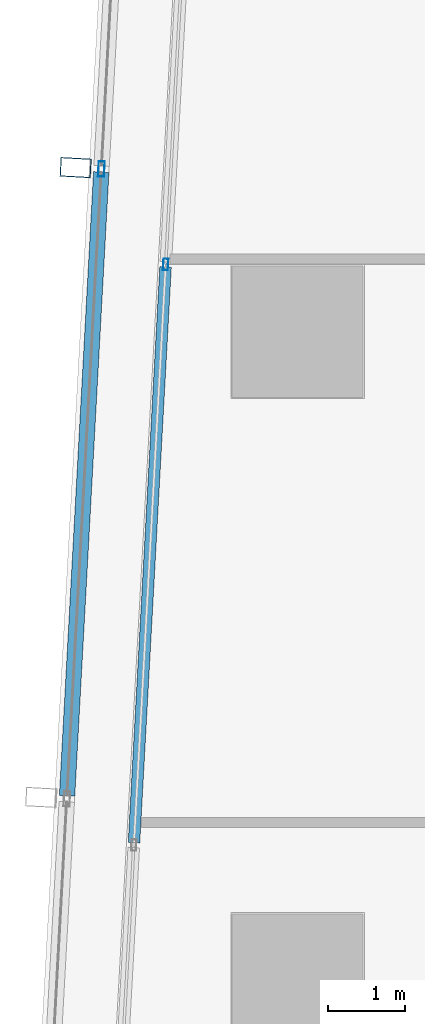
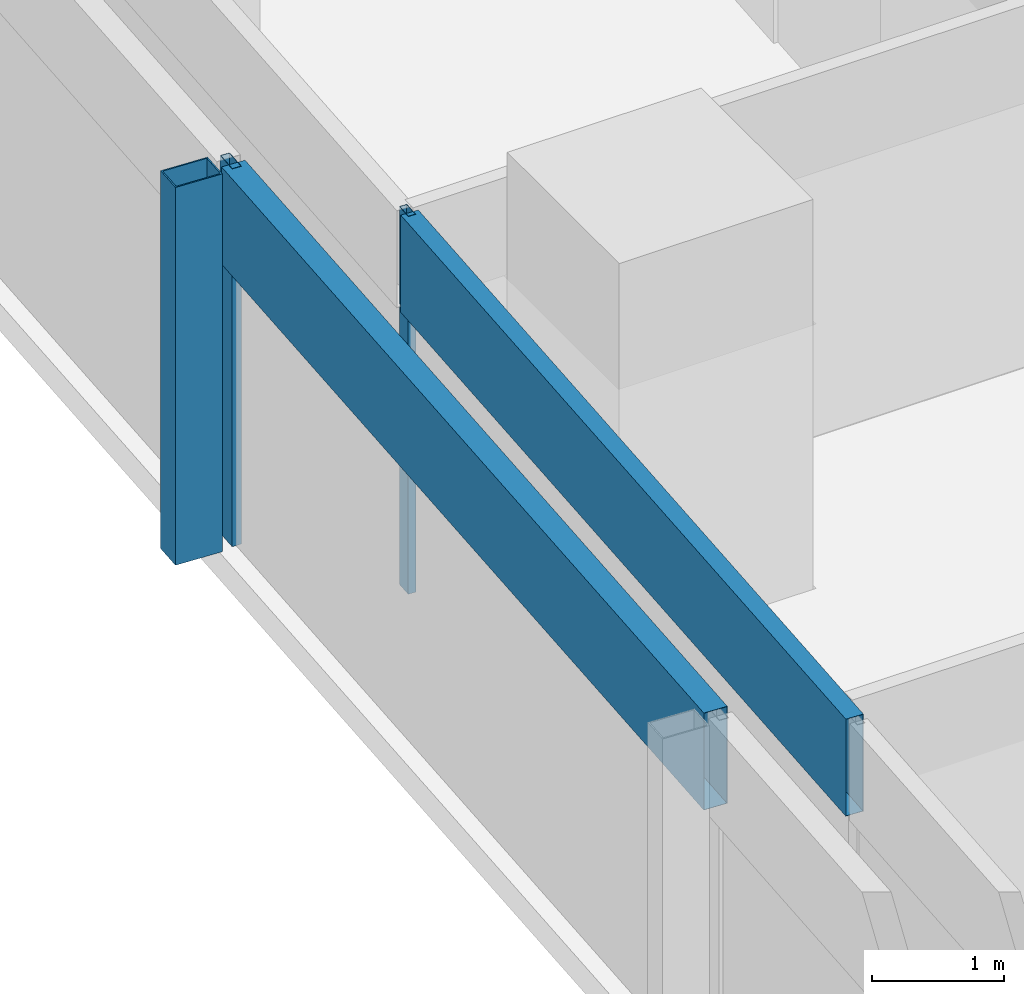
# One storey, part 8 of 40: 5 members, 2 elements without a shape of their own.
"""IFC4 building model written with IfcOpenShell, lengths in metres."""

from ifc_helpers import new_model, si_unit, direction, frame, origin, origin_2d, place, context, subcontext, project, spatial, hollow_rectangle, extrude, material, material_profile, profile_set, type_object, element, aggregate, save


model = new_model("IFC4")

# Units and contexts
model_context = context("Model", 3, precision=1e-05, world=origin(), true_north=direction((0.0, 1.0)))
body_context = subcontext(model_context, "Body", "Model", "MODEL_VIEW")
ifc_project = project(units=[si_unit("LENGTHUNIT", "METRE"), si_unit("AREAUNIT", "SQUARE_METRE"), si_unit("VOLUMEUNIT", "CUBIC_METRE"), si_unit("PLANEANGLEUNIT", "RADIAN"), si_unit("MASSUNIT", "GRAM", prefix="KILO")], contexts=[model_context])

# Site, building, storey
site_placement = place(None, origin())
site = spatial("IfcSite", under=ifc_project, at=site_placement, CompositionType="ELEMENT")
building_placement = place(site_placement, origin())
building = spatial("IfcBuilding", under=site, at=building_placement, Name="Rekha Terrace Tower", CompositionType="ELEMENT")
storey_placement = place(building_placement, frame((0.0, 0.0, 140.300048828125)))
storey = spatial("IfcBuildingStorey", under=building, at=storey_placement, Name="L35", CompositionType="ELEMENT", Elevation=140.300048828125)

# Curtain wall, member
ifc_material_1 = material(Name="Aluminium framing", Category="aluminium")
curtain_wall_type_1 = type_object("IfcCurtainWallType", Name="CW2 double skin outer glazing", PredefinedType="USERDEFINED", material=ifc_material_1)
curtain_wall_1_placement = place(storey_placement, origin())
curtain_wall_1 = element("IfcCurtainWall", 1, at=curtain_wall_1_placement, inside=storey, type_object=curtain_wall_type_1, Name="CW2 double skin outer glazing", ObjectType="DOUBLE SKIN OUTER GLAZING", PredefinedType="USERDEFINED")
ifc_material_2 = material(Name="Steel S355 with fluorocarbon finish", Category="steel")
ifc_material_profile_1 = material_profile(ifc_material_2, hollow_rectangle(XDim=0.25, YDim=0.39990234375, WallThickness=0.012451171875, at=origin_2d()), Name="RHS400x250x12.5")
ifc_profile_set_1 = profile_set([ifc_material_profile_1], Name="Steel S355 with fluorocarbon finish")
member_type_1 = type_object("IfcMemberType", Name="BL1 facade blade RHS 400 x 250", PredefinedType="USERDEFINED", material=ifc_profile_set_1)
member_1_placement = place(storey_placement, frame((5.521728515625, 44.128662109375, 0.0), z_axis=(0.0, 0.0, 1.0), x_axis=(-0.054742798353, -0.998500488747, 0.0)))
member_1 = element("IfcMember", 2, at=member_1_placement, type_object=member_type_1, Name="Facade blade", ObjectType="FACADE BLADE", PredefinedType="USERDEFINED", context=body_context, shape_type="SweptSolid", body=[
    extrude(hollow_rectangle(XDim=0.25, YDim=0.39990234375, WallThickness=0.012451171875, at=origin_2d()), origin(), (0.0, 0.0, 1.0), 3.5),
])

# Curtain wall, members
curtain_wall_type_2 = type_object("IfcCurtainWallType", Name="CW1 double skin inner glazing", PredefinedType="USERDEFINED", material=ifc_material_1)
curtain_wall_2_placement = place(storey_placement, origin())
curtain_wall_2 = element("IfcCurtainWall", 3, at=curtain_wall_2_placement, inside=storey, type_object=curtain_wall_type_2, Name="CW1 double skin inner glazing", ObjectType="DOUBLE SKIN INNER GLAZING", PredefinedType="USERDEFINED")
ifc_material_3 = material(Name="Aluminium mullion section", Category="aluminium")
ifc_material_profile_2 = material_profile(ifc_material_3, hollow_rectangle(XDim=0.06494140625, YDim=0.14990234375, WallThickness=0.00390625, at=origin_2d()), Name="AL RHS 65x150")
ifc_profile_set_2 = profile_set([ifc_material_profile_2], Name="Aluminium mullion section")
member_type_2 = type_object("IfcMemberType", Name="CW1 mullion RHS 65 x 150", PredefinedType="MULLION", material=ifc_profile_set_2)
member_2_placement = place(storey_placement, frame((6.689697265625, 42.87255859375, 0.0), z_axis=(0.0, 0.0, 1.0), x_axis=(0.99850051318, -0.054742352707, 0.0)))
member_2 = element("IfcMember", 4, at=member_2_placement, type_object=member_type_2, Name="CW1 mullion 3", PredefinedType="MULLION", context=body_context, shape_type="SweptSolid", body=[
    extrude(hollow_rectangle(XDim=0.06494140625, YDim=0.14990234375, WallThickness=0.00390625, at=origin_2d()), origin(), (0.0, 0.0, 1.0), 3.5),
])
ifc_material_4 = material(Name="Insulated aluminium spandrel box", Category="aluminium")
ifc_material_profile_3 = material_profile(ifc_material_4, hollow_rectangle(XDim=0.14990234375, YDim=0.89990234375, WallThickness=0.0029296875, at=origin_2d()), Name="AL SPANDREL BOX 150x900")
ifc_profile_set_3 = profile_set([ifc_material_profile_3], Name="Insulated aluminium spandrel box")
member_type_3 = type_object("IfcMemberType", Name="CW1 spandrel transom 150 x 900", PredefinedType="USERDEFINED", material=ifc_profile_set_3)
member_3_placement = place(storey_placement, frame((6.68798828125, 42.840087890625, 3.050048828125), z_axis=(-0.054766415299, -0.998499193668, 0.0), x_axis=(0.998499193668, -0.054766415299, 0.0)))
member_3 = element("IfcMember", 5, at=member_3_placement, type_object=member_type_3, Name="CW1 spandrel transom 3", ObjectType="TRANSOM", PredefinedType="USERDEFINED", context=body_context, shape_type="SweptSolid", body=[
    extrude(hollow_rectangle(XDim=0.14990234375, YDim=0.89990234375, WallThickness=0.0029296875, at=origin_2d()), origin(), (0.0, 0.0, 1.0), 7.475830078125),
])
aggregate(curtain_wall_2, [member_2, member_3])

# Member
ifc_material_profile_4 = material_profile(ifc_material_3, hollow_rectangle(XDim=0.080078125, YDim=0.199951171875, WallThickness=0.00390625, at=origin_2d()), Name="AL RHS 80x200")
ifc_profile_set_4 = profile_set([ifc_material_profile_4], Name="Aluminium mullion section")
member_type_4 = type_object("IfcMemberType", Name="CW2 mullion RHS 80 x 200", PredefinedType="MULLION", material=ifc_profile_set_4)
member_4_placement = place(storey_placement, frame((5.856201171875, 44.1103515625, 0.0), z_axis=(0.0, 0.0, 1.0), x_axis=(0.99850051318, -0.054742352707, 0.0)))
member_4 = element("IfcMember", 6, at=member_4_placement, type_object=member_type_4, Name="CW2 mullion 3", PredefinedType="MULLION", context=body_context, shape_type="SweptSolid", body=[
    extrude(hollow_rectangle(XDim=0.080078125, YDim=0.199951171875, WallThickness=0.00390625, at=origin_2d()), origin(), (0.0, 0.0, 1.0), 3.5),
])

ifc_material_profile_5 = material_profile(ifc_material_4, hollow_rectangle(XDim=0.199951171875, YDim=0.89990234375, WallThickness=0.0029296875, at=origin_2d()), Name="AL SPANDREL BOX 200x900")
ifc_profile_set_5 = profile_set([ifc_material_profile_5], Name="Insulated aluminium spandrel box")
member_type_5 = type_object("IfcMemberType", Name="CW2 spandrel transom 200 x 900", PredefinedType="USERDEFINED", material=ifc_profile_set_5)
member_5_placement = place(storey_placement, frame((5.85400390625, 44.070556640625, 3.050048828125), z_axis=(-0.054735499102, -0.998500888902, 0.0), x_axis=(0.998500888902, -0.054735499102, 0.0)))
member_5 = element("IfcMember", 7, at=member_5_placement, type_object=member_type_5, Name="CW2 spandrel transom 3", ObjectType="TRANSOM", PredefinedType="USERDEFINED", context=body_context, shape_type="SweptSolid", body=[
    extrude(hollow_rectangle(XDim=0.199951171875, YDim=0.89990234375, WallThickness=0.0029296875, at=origin_2d()), origin(), (0.0, 0.0, 1.0), 8.10009765625),
])

aggregate(curtain_wall_1, [member_4, member_5, member_1])

save(model, "model.ifc")
